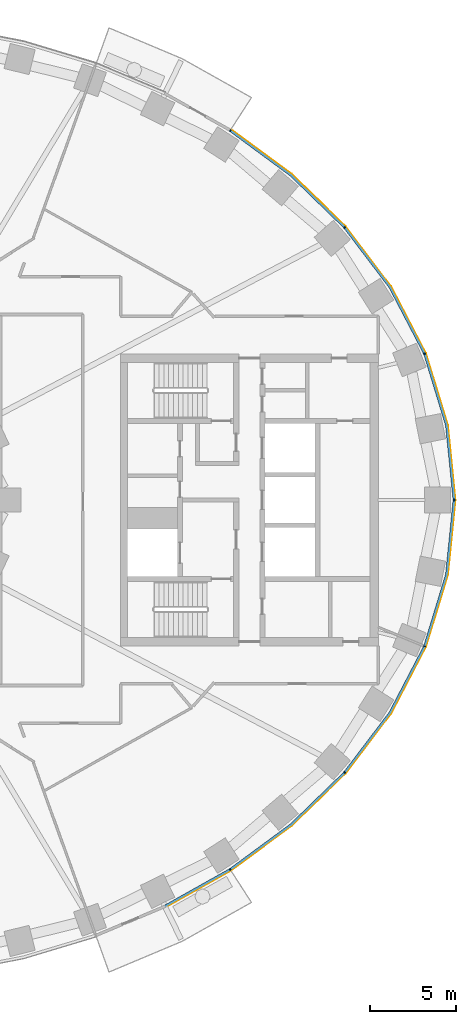
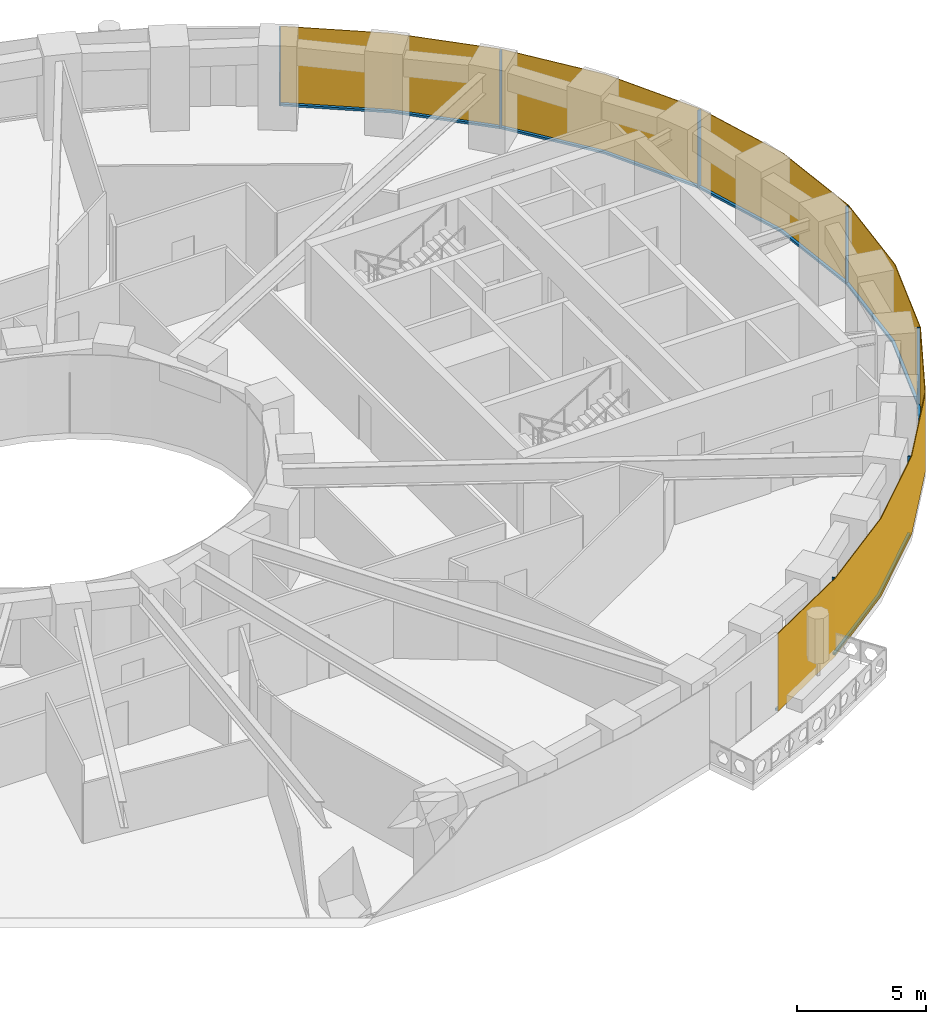
# One storey, part 11 of 15: 14 members, 1 curtain wall.
"""IFC4 building model written with IfcOpenShell, lengths in metres."""

from ifc_helpers import new_model, si_unit, direction, frame, origin, origin_2d, place, context, subcontext, project, spatial, polyline, rectangle, outline, extrude, material, layer, layer_set, material_profile, profile_set, type_object, element, aggregate, save


model = new_model("IFC4")

# Units and contexts
model_context = context("Model", 3, precision=1e-05, world=origin(), true_north=direction((0.0, 1.0)))
body_context = subcontext(model_context, "Body", "Model", "MODEL_VIEW")
ifc_project = project(units=[si_unit("LENGTHUNIT", "METRE"), si_unit("AREAUNIT", "SQUARE_METRE"), si_unit("VOLUMEUNIT", "CUBIC_METRE"), si_unit("PLANEANGLEUNIT", "RADIAN"), si_unit("MASSUNIT", "GRAM", prefix="KILO")], contexts=[model_context])

# Member
ifc_material_1 = material(Name="Aluminium 6063-T6 black anodised", Category="aluminium")
ifc_material_profile = material_profile(ifc_material_1, rectangle(XDim=0.1201171875, YDim=0.06005859375, at=origin_2d()), Name="120x60")
ifc_profile_set = profile_set([ifc_material_profile], Name="Aluminium 6063-T6 black anodised")
member_type_1 = type_object("IfcMemberType", Name="ENV-MULLION-A-120", PredefinedType="MULLION", material=ifc_profile_set)
site_placement = place(None, origin())
building_placement = place(site_placement, origin())
storey_placement = place(building_placement, frame((0.0, 0.0, 50.5)))
member_1_placement = place(storey_placement, frame((22.882568359375, -21.506591796875, 0.0), z_axis=(0.0, 0.0, 1.0), x_axis=(-0.542279153225, 0.840198381323, 0.0)))
member_1 = element("IfcMember", 1, at=member_1_placement, type_object=member_type_1, Name="Mullion A radial 41", PredefinedType="MULLION", context=body_context, shape_type="SweptSolid", body=[
    extrude(rectangle(XDim=0.1201171875, YDim=0.06005859375, at=origin_2d()), origin(), (0.0, 0.0, 1.0), 3.699951171875),
])

member_2_placement = place(storey_placement, frame((29.53857421875, -15.8671875, 0.0), z_axis=(0.0, 0.0, 1.0), x_axis=(-0.749047221705, 0.662516610853, 0.0)))
member_2 = element("IfcMember", 2, at=member_2_placement, type_object=member_type_1, Name="Mullion A radial 43", PredefinedType="MULLION", context=body_context, shape_type="SweptSolid", body=[
    extrude(rectangle(XDim=0.1201171875, YDim=0.06005859375, at=origin_2d()), origin(), (0.0, 0.0, 1.0), 3.699951171875),
])

member_3_placement = place(storey_placement, frame((34.19580078125, -8.513916015625, 0.0), z_axis=(0.0, 0.0, 1.0), x_axis=(-0.92546738067, 0.378827305398, 0.0)))
member_3 = element("IfcMember", 3, at=member_3_placement, type_object=member_type_1, Name="Mullion A radial 45", PredefinedType="MULLION", context=body_context, shape_type="SweptSolid", body=[
    extrude(rectangle(XDim=0.1201171875, YDim=0.06005859375, at=origin_2d()), origin(), (0.0, 0.0, 1.0), 3.699951171875),
])

member_4_placement = place(storey_placement, frame((35.907958984375, 0.0, 0.0), z_axis=(0.0, 0.0, 1.0), x_axis=(-1.0, 0.0, 0.0)))
member_4 = element("IfcMember", 4, at=member_4_placement, type_object=member_type_1, Name="Mullion A radial 01", PredefinedType="MULLION", context=body_context, shape_type="SweptSolid", body=[
    extrude(rectangle(XDim=0.1201171875, YDim=0.06005859375, at=origin_2d()), origin(), (0.0, 0.0, 1.0), 3.699951171875),
])

member_5_placement = place(storey_placement, frame((34.19580078125, 8.513916015625, 0.0), z_axis=(0.0, 0.0, 1.0), x_axis=(-0.92546738067, -0.378827305398, 0.0)))
member_5 = element("IfcMember", 5, at=member_5_placement, type_object=member_type_1, Name="Mullion A radial 03", PredefinedType="MULLION", context=body_context, shape_type="SweptSolid", body=[
    extrude(rectangle(XDim=0.1201171875, YDim=0.06005859375, at=origin_2d()), origin(), (0.0, 0.0, 1.0), 3.699951171875),
])

member_6_placement = place(storey_placement, frame((29.53857421875, 15.8671875, 0.0), z_axis=(0.0, 0.0, 1.0), x_axis=(-0.749047221705, -0.662516610853, 0.0)))
member_6 = element("IfcMember", 6, at=member_6_placement, type_object=member_type_1, Name="Mullion A radial 05", PredefinedType="MULLION", context=body_context, shape_type="SweptSolid", body=[
    extrude(rectangle(XDim=0.1201171875, YDim=0.06005859375, at=origin_2d()), origin(), (0.0, 0.0, 1.0), 3.699951171875),
])

member_7_placement = place(storey_placement, frame((22.882568359375, 21.506591796875, 0.0), z_axis=(0.0, 0.0, 1.0), x_axis=(-0.542279153225, -0.840198381323, 0.0)))
member_7 = element("IfcMember", 7, at=member_7_placement, type_object=member_type_1, Name="Mullion A radial 07", PredefinedType="MULLION", context=body_context, shape_type="SweptSolid", body=[
    extrude(rectangle(XDim=0.1201171875, YDim=0.06005859375, at=origin_2d()), origin(), (0.0, 0.0, 1.0), 3.699951171875),
])

ifc_material_2 = material(Name="Aluminium 6063-T6 black anodised", Category="aluminium")
member_type_2 = type_object("IfcMemberType", Name="ENV-TRANSOM-A", PredefinedType="USERDEFINED", material=ifc_material_2)
member_8_placement = place(storey_placement, origin())
member_8 = element("IfcMember", 8, at=member_8_placement, type_object=member_type_2, Name="Transom A radial 40-41", ObjectType="TRANSOM", PredefinedType="USERDEFINED", context=body_context, shape_type="SweptSolid", body=[
    extrude(outline(polyline([(19.111572265625, -23.691650390625), (22.890625, -21.570556640625), (22.825439453125, -21.469482421875), (19.058837890625, -23.58349609375), (19.111572265625, -23.691650390625)])), origin(), (0.0, 0.0, 1.0), 0.10009765625),
])

member_9_placement = place(storey_placement, origin())
member_9 = element("IfcMember", 9, at=member_9_placement, type_object=member_type_2, Name="Transom A radial 41-43", ObjectType="TRANSOM", PredefinedType="USERDEFINED", context=body_context, shape_type="SweptSolid", body=[
    extrude(outline(polyline([(22.937744140625, -21.540283203125), (26.4423828125, -18.958740234375), (29.5634765625, -15.926513671875), (29.473388671875, -15.8466796875), (26.364501953125, -18.866943359375), (22.87255859375, -21.439208984375), (22.937744140625, -21.540283203125)])), origin(), (0.0, 0.0, 1.0), 0.10009765625),
])

member_10_placement = place(storey_placement, origin())
member_10 = element("IfcMember", 10, at=member_10_placement, type_object=member_type_2, Name="Transom A radial 43-45", ObjectType="TRANSOM", PredefinedType="USERDEFINED", context=body_context, shape_type="SweptSolid", body=[
    extrude(outline(polyline([(29.6005859375, -15.884521484375), (32.22802734375, -12.41748046875), (34.23828125, -8.5615234375), (34.126708984375, -8.515869140625), (32.126220703125, -12.35302734375), (29.51025390625, -15.8046875), (29.6005859375, -15.884521484375)])), origin(), (0.0, 0.0, 1.0), 0.10009765625),
])

member_11_placement = place(storey_placement, origin())
member_11 = element("IfcMember", 11, at=member_11_placement, type_object=member_type_2, Name="Transom A radial 45-01", ObjectType="TRANSOM", PredefinedType="USERDEFINED", context=body_context, shape_type="SweptSolid", body=[
    extrude(outline(polyline([(34.259521484375, -8.509765625), (35.529541015625, -4.352294921875), (35.965087890625, -0.02783203125), (35.844482421875, -0.02783203125), (35.411376953125, -4.32861328125), (34.14794921875, -8.464111328125), (34.259521484375, -8.509765625)])), origin(), (0.0, 0.0, 1.0), 0.10009765625),
])

member_12_placement = place(storey_placement, origin())
member_12 = element("IfcMember", 12, at=member_12_placement, type_object=member_type_2, Name="Transom A radial 01-03", ObjectType="TRANSOM", PredefinedType="USERDEFINED", context=body_context, shape_type="SweptSolid", body=[
    extrude(outline(polyline([(35.965087890625, 0.02783203125), (35.529541015625, 4.352294921875), (34.259521484375, 8.509765625), (34.14794921875, 8.464111328125), (35.411376953125, 4.32861328125), (35.844482421875, 0.02783203125), (35.965087890625, 0.02783203125)])), origin(), (0.0, 0.0, 1.0), 0.10009765625),
])

member_13_placement = place(storey_placement, origin())
member_13 = element("IfcMember", 13, at=member_13_placement, type_object=member_type_2, Name="Transom A radial 03-05", ObjectType="TRANSOM", PredefinedType="USERDEFINED", context=body_context, shape_type="SweptSolid", body=[
    extrude(outline(polyline([(34.23828125, 8.5615234375), (32.22802734375, 12.41748046875), (29.6005859375, 15.884521484375), (29.51025390625, 15.8046875), (32.126220703125, 12.35302734375), (34.126708984375, 8.515869140625), (34.23828125, 8.5615234375)])), origin(), (0.0, 0.0, 1.0), 0.10009765625),
])

member_14_placement = place(storey_placement, origin())
member_14 = element("IfcMember", 14, at=member_14_placement, type_object=member_type_2, Name="Transom A radial 05-07", ObjectType="TRANSOM", PredefinedType="USERDEFINED", context=body_context, shape_type="SweptSolid", body=[
    extrude(outline(polyline([(29.5634765625, 15.926513671875), (26.4423828125, 18.958740234375), (22.937744140625, 21.540283203125), (22.87255859375, 21.439208984375), (26.364501953125, 18.866943359375), (29.473388671875, 15.8466796875), (29.5634765625, 15.926513671875)])), origin(), (0.0, 0.0, 1.0), 0.10009765625),
])

# Site, building, storey
site = spatial("IfcSite", under=ifc_project, at=site_placement, CompositionType="ELEMENT")
building = spatial("IfcBuilding", under=site, at=building_placement, Name="Noorbagh Ring Tower", CompositionType="ELEMENT")
storey = spatial("IfcBuildingStorey", under=building, at=storey_placement, Name="L10", CompositionType="ELEMENT", Elevation=50.5)

# Curtain wall
ifc_material_3 = material(Name="Glass dark tinted laminated", Category="glass")
ifc_layer = layer(ifc_material_3, 0.031982421875)
ifc_layer_set = layer_set([ifc_layer], Name="Glass dark tinted laminated")
curtain_wall_type = type_object("IfcCurtainWallType", Name="ENV-CW-A", PredefinedType="NOTDEFINED", material=ifc_layer_set)
curtain_wall_placement = place(storey_placement, origin())
curtain_wall = element("IfcCurtainWall", 15, at=curtain_wall_placement, inside=storey, type_object=curtain_wall_type, Name="Curtain wall A R40", PredefinedType="NOTDEFINED", context=body_context, shape_type="SweptSolid", body=[
    extrude(outline(polyline([(19.125732421875, -23.720458984375), (22.9326171875, -21.583740234375), (26.463134765625, -18.9833984375), (29.607666015625, -15.927978515625), (32.255126953125, -12.434814453125), (34.281005859375, -8.548828125), (35.561279296875, -4.358642578125), (36.0, 0.0), (35.561279296875, 4.358642578125), (34.281005859375, 8.548828125), (32.255126953125, 12.434814453125), (29.607666015625, 15.927978515625), (26.463134765625, 18.9833984375), (22.948486328125, 21.572021484375), (22.931396484375, 21.544921875), (26.4423828125, 18.958740234375), (29.58349609375, 15.906982421875), (32.22802734375, 12.41748046875), (34.251220703125, 8.53662109375), (35.529541015625, 4.352294921875), (35.9677734375, 0.0), (35.529541015625, -4.352294921875), (34.251220703125, -8.53662109375), (32.22802734375, -12.41748046875), (29.58349609375, -15.906982421875), (26.4423828125, -18.958740234375), (22.9150390625, -21.556884765625), (19.111572265625, -23.691650390625), (19.125732421875, -23.720458984375)])), origin(), (0.0, 0.0, 1.0), 3.699951171875),
])

aggregate(curtain_wall, [member_1, member_2, member_3, member_4, member_5, member_6, member_7, member_8, member_9, member_10, member_11, member_12, member_13, member_14])

save(model, "model.ifc")
